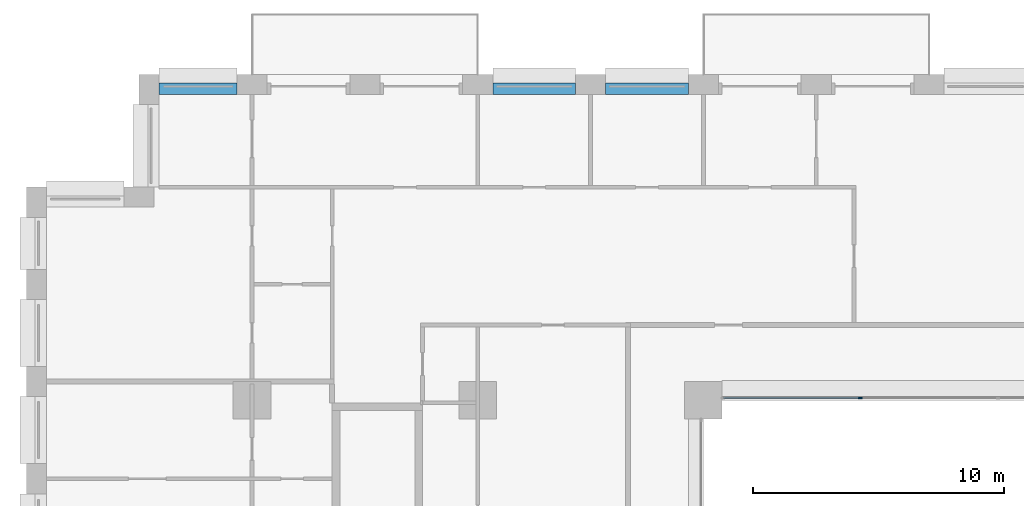
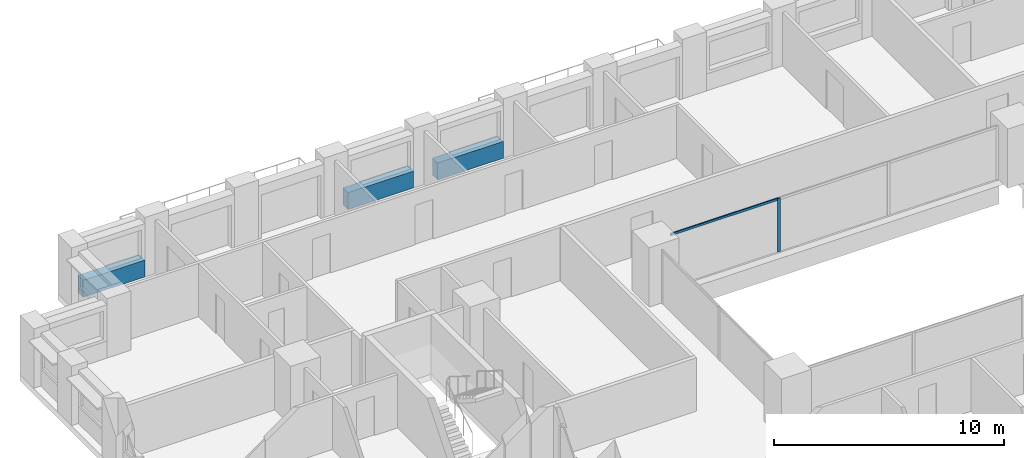
# One storey, part 6 of 21: 3 beams, 2 members, 1 element without a shape of its own.
"""IFC4 building model written with IfcOpenShell, lengths in metres."""

from ifc_helpers import new_model, si_unit, direction, frame, origin, origin_2d, place, context, subcontext, project, spatial, rectangle, extrude, material, layer, layer_set, material_profile, profile_set, type_object, element, aggregate, save


model = new_model("IFC4")

# Units and contexts
model_context = context("Model", 3, precision=1e-05, world=origin(), true_north=direction((0.0, 1.0)))
body_context = subcontext(model_context, "Body", "Model", "MODEL_VIEW")
ifc_project = project(units=[si_unit("LENGTHUNIT", "METRE"), si_unit("AREAUNIT", "SQUARE_METRE"), si_unit("VOLUMEUNIT", "CUBIC_METRE"), si_unit("PLANEANGLEUNIT", "RADIAN"), si_unit("MASSUNIT", "GRAM", prefix="KILO")], contexts=[model_context])

# Site, building, storey
site_placement = place(None, origin())
site = spatial("IfcSite", under=ifc_project, at=site_placement, CompositionType="ELEMENT")
building_placement = place(site_placement, origin())
building = spatial("IfcBuilding", under=site, at=building_placement, Name="Brigalow Station Residences", CompositionType="ELEMENT")
storey_placement = place(building_placement, frame((0.0, 0.0, 51.0)))
storey = spatial("IfcBuildingStorey", under=building, at=storey_placement, Name="L14", CompositionType="ELEMENT", Elevation=51.0)

# Curtain wall, members
ifc_material_1 = material(Name="Aluminium", Category="aluminium")
ifc_layer = layer(ifc_material_1, 0.14990234375)
ifc_layer_set = layer_set([ifc_layer], Name="ATRIUM FIRE-RATED GLAZING CURTAIN WALL")
curtain_wall_type = type_object("IfcCurtainWallType", Name="ATRIUM FIRE-RATED GLAZING CURTAIN WALL", PredefinedType="NOTDEFINED", material=ifc_layer_set)
curtain_wall_placement = place(storey_placement, origin())
curtain_wall = element("IfcCurtainWall", 1, at=curtain_wall_placement, inside=storey, type_object=curtain_wall_type, Name="L14/cw/atrium-N", PredefinedType="NOTDEFINED")
ifc_material_2 = material(Name="Aluminium", Category="aluminium")
ifc_material_profile_1 = material_profile(ifc_material_2, rectangle(XDim=0.06005859375, YDim=0.14990234375, at=origin_2d()), Name="ATRIUM FIRE-RATED GLAZING MULLION 60x150")
ifc_profile_set_1 = profile_set([ifc_material_profile_1], Name="Aluminium")
member_type_1 = type_object("IfcMemberType", Name="ATRIUM FIRE-RATED GLAZING MULLION 60x150", PredefinedType="MULLION", material=ifc_profile_set_1)
member_1_placement = place(storey_placement, frame((33.25, 35.60009765625, 0.0), z_axis=(0.0, 0.0, 1.0), x_axis=(0.0, -1.0, 0.0)))
member_1 = element("IfcMember", 2, at=member_1_placement, type_object=member_type_1, Name="L14/cw/atrium-N/M02", PredefinedType="MULLION", context=body_context, shape_type="SweptSolid", body=[
    extrude(rectangle(XDim=0.06005859375, YDim=0.14990234375, at=origin_2d()), origin(), (0.0, 0.0, 1.0), 2.830078125),
])
ifc_material_3 = material(Name="Aluminium", Category="aluminium")
ifc_material_profile_2 = material_profile(ifc_material_3, rectangle(XDim=0.06005859375, YDim=0.1201171875, at=origin_2d()), Name="ATRIUM FIRE-RATED GLAZING TRANSOM 60x120")
ifc_profile_set_2 = profile_set([ifc_material_profile_2], Name="Aluminium")
member_type_2 = type_object("IfcMemberType", Name="ATRIUM FIRE-RATED GLAZING TRANSOM 60x120", PredefinedType="USERDEFINED", material=ifc_profile_set_2)
member_2_placement = place(storey_placement, frame((33.219970703125, 35.60009765625, 2.800048828125), z_axis=(-1.0, 0.0, 0.0), x_axis=(0.0, -1.0, 0.0)))
member_2 = element("IfcMember", 3, at=member_2_placement, type_object=member_type_2, Name="L14/cw/atrium-N/T02-00", ObjectType="TRANSOM", PredefinedType="USERDEFINED", context=body_context, shape_type="SweptSolid", body=[
    extrude(rectangle(XDim=0.06005859375, YDim=0.1201171875, at=origin_2d()), origin(), (0.0, 0.0, 1.0), 5.409912109375),
])
aggregate(curtain_wall, [member_1, member_2])

# Beams
ifc_material_4 = material(Name="Concrete C65", Category="concrete")
ifc_material_profile_3 = material_profile(ifc_material_4, rectangle(XDim=0.449951171875, YDim=0.89990234375, at=origin_2d()), Name="RC450x900")
ifc_profile_set_3 = profile_set([ifc_material_profile_3], Name="Concrete C65")
beam_type = type_object("IfcBeamType", Name="SPANDREL BEAM 450x900 C65", PredefinedType="SPANDREL", material=ifc_profile_set_3)
for number, where, z_axis, x_axis, name in (
    (4, (26.39990234375, 47.925048828125, 0.449951171875), (-1.0, 0.0, 0.0), (0.0, -1.0, 0.0), "L14/spandrel/W-L14-35"),
    (5, (21.89990234375, 47.925048828125, 0.449951171875), (-1.0, 0.0, 0.0), (0.0, -1.0, 0.0), "L14/spandrel/W-L14-36"),
):
    element("IfcBeam", number, at=place(storey_placement, frame(where, z_axis=z_axis, x_axis=x_axis)), inside=storey, type_object=beam_type, Name=name, PredefinedType="SPANDREL", context=body_context, shape_type="SweptSolid", body=[
        extrude(rectangle(XDim=0.449951171875, YDim=0.89990234375, at=origin_2d()), origin(), (0.0, 0.0, 1.0), 3.2998046875),
    ])
beam_placement = place(storey_placement, frame((8.39990234375, 47.925048828125, 0.449951171875), z_axis=(-1.0, 0.0, 0.0), x_axis=(0.0, -1.0, 0.0)))
element("IfcBeam", 6, at=beam_placement, inside=storey, type_object=beam_type, Name="L14/spandrel/W-L14-39", PredefinedType="SPANDREL", context=body_context, shape_type="SweptSolid", body=[
    extrude(rectangle(XDim=0.449951171875, YDim=0.89990234375, at=origin_2d()), origin(), (0.0, 0.0, 1.0), 3.099853515625),
])

save(model, "model.ifc")
